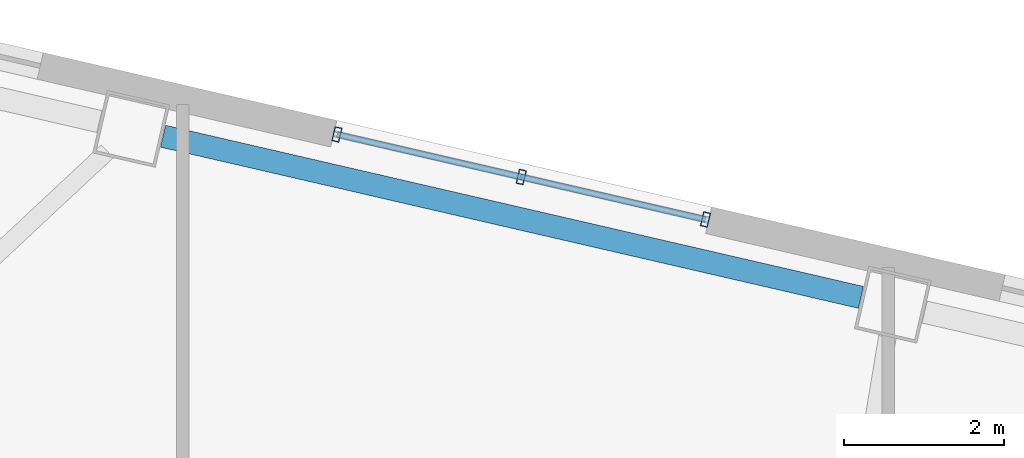
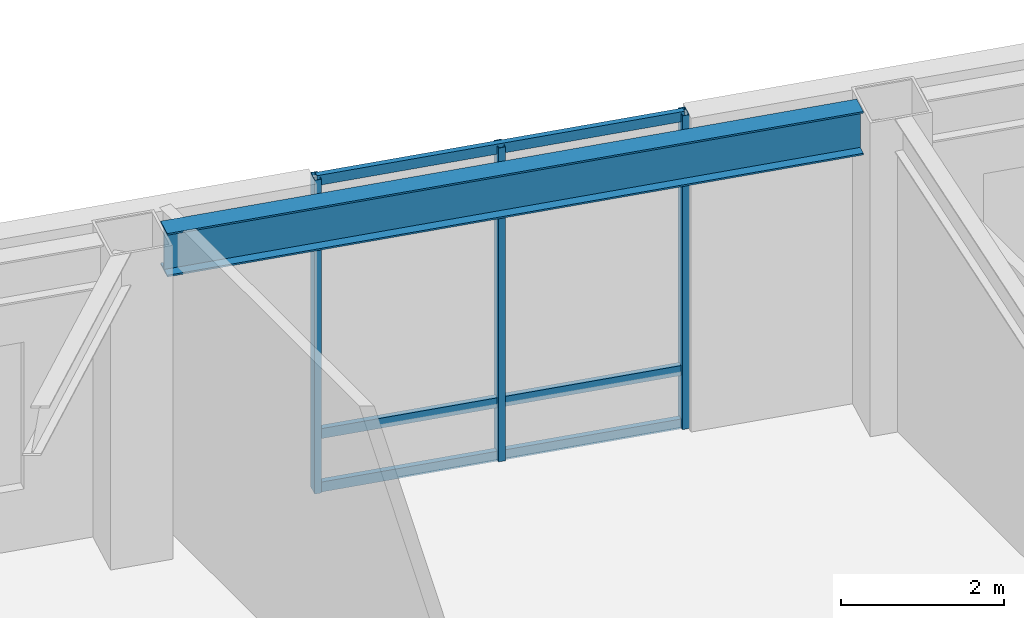
# One storey, part 6 of 20: 6 members, 1 beam, 1 element without a shape of its own.
"""IFC4 building model written with IfcOpenShell, lengths in metres."""

from ifc_helpers import new_model, si_unit, direction, frame, origin, origin_2d, place, context, subcontext, project, spatial, hollow_rectangle, i_section, extrude, material, layer, layer_set, material_profile, profile_set, type_object, element, aggregate, save


model = new_model("IFC4")

# Units and contexts
model_context = context("Model", 3, precision=1e-05, world=origin(), true_north=direction((0.0, 1.0)))
body_context = subcontext(model_context, "Body", "Model", "MODEL_VIEW")
ifc_project = project(units=[si_unit("LENGTHUNIT", "METRE"), si_unit("AREAUNIT", "SQUARE_METRE"), si_unit("VOLUMEUNIT", "CUBIC_METRE"), si_unit("PLANEANGLEUNIT", "RADIAN"), si_unit("MASSUNIT", "GRAM", prefix="KILO")], contexts=[model_context])

# Site, building, storey
site_placement = place(None, origin())
site = spatial("IfcSite", under=ifc_project, at=site_placement, CompositionType="ELEMENT")
building_placement = place(site_placement, origin())
building = spatial("IfcBuilding", under=site, at=building_placement, Name="Tavrogorsk Clinical Tower", CompositionType="ELEMENT")
storey_placement = place(building_placement, frame((0.0, 0.0, 18.39990234375)))
storey = spatial("IfcBuildingStorey", under=building, at=storey_placement, Name="L03", CompositionType="ELEMENT", Elevation=18.39990234375)

# Curtain wall, members
ifc_material_1 = material(Name="Anodised aluminium and triple IGU glazing", Category="aluminium")
ifc_layer = layer(ifc_material_1, 0.179931640625)
ifc_layer_set = layer_set([ifc_layer], Name="Anodised aluminium and triple IGU glazing")
curtain_wall_type = type_object("IfcCurtainWallType", Name="CW2_NorthSlot", PredefinedType="NOTDEFINED", material=ifc_layer_set)
curtain_wall_placement = place(storey_placement, origin())
curtain_wall = element("IfcCurtainWall", 1, at=curtain_wall_placement, inside=storey, type_object=curtain_wall_type, Name="L03 Curtain Wall CW-L03-N-SLOT-1", PredefinedType="NOTDEFINED")
ifc_material_2 = material(Name="Anodised aluminium alloy AW-6060", Category="aluminium")
ifc_material_profile_1 = material_profile(ifc_material_2, hollow_rectangle(XDim=0.090087890625, YDim=0.179931640625, WallThickness=0.00634765625, at=origin_2d()), Name="RHS-180x90x6.3")
ifc_profile_set_1 = profile_set([ifc_material_profile_1], Name="Anodised aluminium alloy AW-6060")
member_type_1 = type_object("IfcMemberType", Name="CwMullion_180x90", PredefinedType="MULLION", material=ifc_profile_set_1)
member_1_placement = place(storey_placement, frame((-3.879638671875, 24.640625, 0.0), z_axis=(0.0, 0.0, 1.0), x_axis=(-0.974370102963, 0.224950888978, 0.0)))
member_1 = element("IfcMember", 2, at=member_1_placement, type_object=member_type_1, Name="CW-L03-N-SLOT-1 Mullion 1", PredefinedType="MULLION", context=body_context, shape_type="SweptSolid", body=[
    extrude(hollow_rectangle(XDim=0.090087890625, YDim=0.179931640625, WallThickness=0.00634765625, at=origin_2d()), origin(), (0.0, 0.0, 1.0), 4.7001953125),
])
member_2_placement = place(storey_placement, frame((-6.17822265625, 25.171142578125, 0.0), z_axis=(0.0, 0.0, 1.0), x_axis=(-0.974370102963, 0.224950888978, 0.0)))
member_2 = element("IfcMember", 3, at=member_2_placement, type_object=member_type_1, Name="CW-L03-N-SLOT-1 Mullion 2", PredefinedType="MULLION", context=body_context, shape_type="SweptSolid", body=[
    extrude(hollow_rectangle(XDim=0.090087890625, YDim=0.179931640625, WallThickness=0.00634765625, at=origin_2d()), origin(), (0.0, 0.0, 1.0), 4.7001953125),
])
member_3_placement = place(storey_placement, frame((-8.476806640625, 25.701904296875, 0.0), z_axis=(0.0, 0.0, 1.0), x_axis=(-0.974370102963, 0.224950888978, 0.0)))
member_3 = element("IfcMember", 4, at=member_3_placement, type_object=member_type_1, Name="CW-L03-N-SLOT-1 Mullion 3", PredefinedType="MULLION", context=body_context, shape_type="SweptSolid", body=[
    extrude(hollow_rectangle(XDim=0.090087890625, YDim=0.179931640625, WallThickness=0.00634765625, at=origin_2d()), origin(), (0.0, 0.0, 1.0), 4.7001953125),
])
ifc_material_3 = material(Name="Anodised aluminium alloy AW-6060", Category="aluminium")
ifc_material_profile_2 = material_profile(ifc_material_3, hollow_rectangle(XDim=0.074951171875, YDim=0.14990234375, WallThickness=0.0048828125, at=origin_2d()), Name="RHS-150x75x5")
ifc_profile_set_2 = profile_set([ifc_material_profile_2], Name="Anodised aluminium alloy AW-6060")
member_type_2 = type_object("IfcMemberType", Name="CwTransom_150x75", PredefinedType="USERDEFINED", material=ifc_profile_set_2)
member_4_placement = place(storey_placement, frame((-3.879638671875, 24.640625, 0.050048828125), z_axis=(-0.974372877948, 0.22493886885, 0.0), x_axis=(-0.22493886885, -0.974372877948, 0.0)))
member_4 = element("IfcMember", 5, at=member_4_placement, type_object=member_type_2, Name="CW-L03-N-SLOT-1 Transom 1", ObjectType="TRANSOM", PredefinedType="USERDEFINED", context=body_context, shape_type="SweptSolid", body=[
    extrude(hollow_rectangle(XDim=0.074951171875, YDim=0.14990234375, WallThickness=0.0048828125, at=origin_2d()), origin(), (0.0, 0.0, 1.0), 4.718017578125),
])
member_5_placement = place(storey_placement, frame((-3.879638671875, 24.640625, 0.85009765625), z_axis=(-0.974372877948, 0.22493886885, 0.0), x_axis=(-0.22493886885, -0.974372877948, 0.0)))
member_5 = element("IfcMember", 6, at=member_5_placement, type_object=member_type_2, Name="CW-L03-N-SLOT-1 Transom 2", ObjectType="TRANSOM", PredefinedType="USERDEFINED", context=body_context, shape_type="SweptSolid", body=[
    extrude(hollow_rectangle(XDim=0.074951171875, YDim=0.14990234375, WallThickness=0.0048828125, at=origin_2d()), origin(), (0.0, 0.0, 1.0), 4.718017578125),
])
member_6_placement = place(storey_placement, frame((-3.879638671875, 24.640625, 4.650146484375), z_axis=(-0.974372877948, 0.22493886885, 0.0), x_axis=(-0.22493886885, -0.974372877948, 0.0)))
member_6 = element("IfcMember", 7, at=member_6_placement, type_object=member_type_2, Name="CW-L03-N-SLOT-1 Transom 3", ObjectType="TRANSOM", PredefinedType="USERDEFINED", context=body_context, shape_type="SweptSolid", body=[
    extrude(hollow_rectangle(XDim=0.074951171875, YDim=0.14990234375, WallThickness=0.0048828125, at=origin_2d()), origin(), (0.0, 0.0, 1.0), 4.718017578125),
])
aggregate(curtain_wall, [member_1, member_2, member_3, member_4, member_5, member_6])

# Beam
ifc_material_4 = material(Name="Structural steel S390", Category="steel")
ifc_material_profile_3 = material_profile(ifc_material_4, i_section(OverallWidth=0.280029296875, OverallDepth=0.64990234375, WebThickness=0.01611328125, FlangeThickness=0.02490234375, at=origin_2d()), Name="B-650x280x16x25")
ifc_profile_set_3 = profile_set([ifc_material_profile_3], Name="Structural steel S390")
beam_type = type_object("IfcBeamType", Name="SpandrelBeam_B650", PredefinedType="SPANDREL", material=ifc_profile_set_3)
beam_placement = place(storey_placement, frame((-1.941162109375, 23.669677734375, 4.375), z_axis=(-0.974372766602, 0.224939351168, 0.0), x_axis=(-0.224939351168, -0.974372766602, 0.0)))
element("IfcBeam", 8, at=beam_placement, inside=storey, type_object=beam_type, Name="L03 Perimeter Spandrel N5-N6", PredefinedType="SPANDREL", context=body_context, shape_type="SweptSolid", body=[
    extrude(i_section(OverallWidth=0.280029296875, OverallDepth=0.64990234375, WebThickness=0.01611328125, FlangeThickness=0.02490234375, at=origin_2d()), origin(), (0.0, 0.0, 1.0), 8.9326171875),
])

save(model, "model.ifc")
